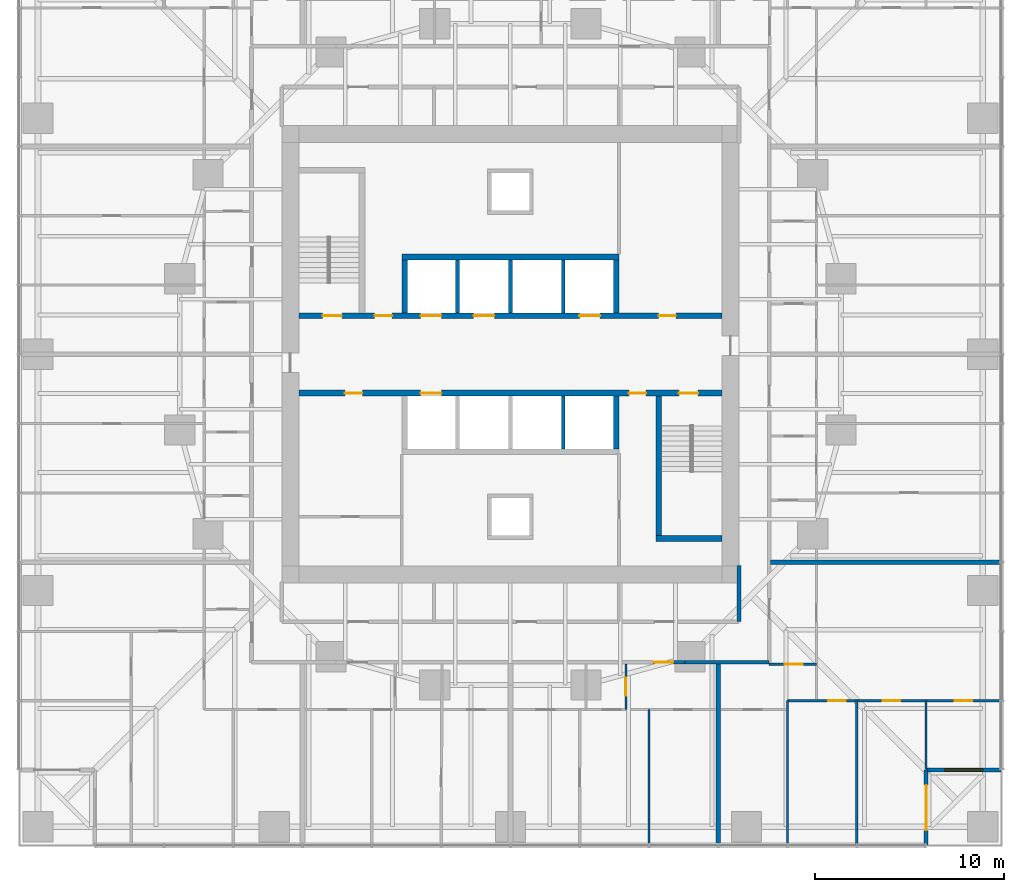
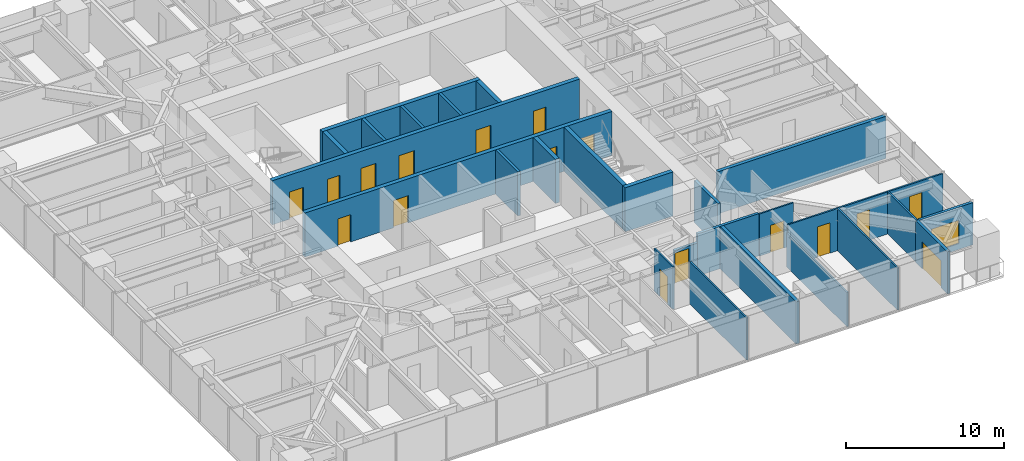
# One storey, part 10 of 14: 26 walls, 17 doors, 1 window, 18 openings.
"""IFC4 building model written with IfcOpenShell, lengths in metres."""

from ifc_helpers import new_model, si_unit, direction, frame, frame_2d, origin, place, context, subcontext, project, spatial, rectangle, extrude, material, layer, layer_set, type_object, element, fill, save


model = new_model("IFC4")

# Units and contexts
model_context = context("Model", 3, precision=1e-05, world=origin(), true_north=direction((0.0, 1.0)))
body_context = subcontext(model_context, "Body", "Model", "MODEL_VIEW")
ifc_project = project(units=[si_unit("LENGTHUNIT", "METRE"), si_unit("AREAUNIT", "SQUARE_METRE"), si_unit("VOLUMEUNIT", "CUBIC_METRE"), si_unit("PLANEANGLEUNIT", "RADIAN"), si_unit("MASSUNIT", "GRAM", prefix="KILO")], contexts=[model_context])

# Site, building, storey
site_placement = place(None, origin())
site = spatial("IfcSite", under=ifc_project, at=site_placement, CompositionType="ELEMENT")
building_placement = place(site_placement, origin())
building = spatial("IfcBuilding", under=site, at=building_placement, Name="Torsade Residences", CompositionType="ELEMENT")
storey_placement = place(building_placement, frame((0.0, 0.0, 32.0)))
storey = spatial("IfcBuildingStorey", under=building, at=storey_placement, Name="L08", CompositionType="ELEMENT", Elevation=32.0)

# Wall, openings, doors
ifc_material_1 = material(Name="Concrete 80 MPa", Category="concrete")
ifc_layer_1 = layer(ifc_material_1, 0.300048828125)
ifc_layer_set_1 = layer_set([ifc_layer_1], Name="Concrete 80 MPa")
wall_type_1 = type_object("IfcWallType", Name="CORE INTERNAL WALL 300", PredefinedType="SHEAR", material=ifc_layer_set_1)
wall_1_placement = place(storey_placement, frame((28.800048828125, 32.050048828125, 0.0), z_axis=(0.0, 0.0, 1.0), x_axis=(1.0, 0.0, 0.0)))
wall_1 = element("IfcWall", 1, at=wall_1_placement, inside=storey, type_object=wall_type_1, Name="Core wall LN L08", PredefinedType="SHEAR", context=body_context, shape_type="SweptSolid", body=[
    extrude(rectangle(XDim=22.39990234375, YDim=0.300048828125, at=frame_2d((11.199951171875, 0.0))), origin(), (0.0, 0.0, 1.0), 3.39990234375),
])
opening_1_placement = place(wall_1_placement, frame((19.0400390625, 0.0, 0.0)))
opening_1 = element("IfcOpeningElement", 2, at=opening_1_placement, cuts=wall_1, Name="Opening D06", PredefinedType="OPENING", context=body_context, shape_type="SweptSolid", body=[
    extrude(rectangle(XDim=0.919921875, YDim=2.10009765625, at=frame_2d((0.4599609375, 1.050048828125))), frame((0.0, 0.159912109375, 0.0), z_axis=(0.0, -1.0, 0.0), x_axis=(1.0, 0.0, 0.0)), (0.0, 0.0, 1.0), 0.320068359375),
])
opening_2_placement = place(wall_1_placement, frame((1.264892578125, 0.0, 0.0)))
opening_2 = element("IfcOpeningElement", 3, at=opening_2_placement, cuts=wall_1, Name="Opening D03", PredefinedType="OPENING", context=body_context, shape_type="SweptSolid", body=[
    extrude(rectangle(XDim=1.02001953125, YDim=2.10009765625, at=frame_2d((0.510009765625, 1.050048828125))), frame((0.0, 0.159912109375, 0.0), z_axis=(0.0, -1.0, 0.0), x_axis=(1.0, 0.0, 0.0)), (0.0, 0.0, 1.0), 0.320068359375),
])
opening_3_placement = place(wall_1_placement, frame((4.014892578125, 0.0, 0.0)))
opening_3 = element("IfcOpeningElement", 4, at=opening_3_placement, cuts=wall_1, Name="Opening D06", PredefinedType="OPENING", context=body_context, shape_type="SweptSolid", body=[
    extrude(rectangle(XDim=0.919921875, YDim=2.10009765625, at=frame_2d((0.4599609375, 1.050048828125))), frame((0.0, 0.159912109375, 0.0), z_axis=(0.0, -1.0, 0.0), x_axis=(1.0, 0.0, 0.0)), (0.0, 0.0, 1.0), 0.320068359375),
])
opening_4_placement = place(wall_1_placement, frame((6.449951171875, 0.0, 0.0)))
opening_4 = element("IfcOpeningElement", 5, at=opening_4_placement, cuts=wall_1, Name="Opening LD", PredefinedType="OPENING", context=body_context, shape_type="SweptSolid", body=[
    extrude(rectangle(XDim=1.10009765625, YDim=2.10009765625, at=frame_2d((0.550048828125, 1.050048828125))), frame((0.0, 0.159912109375, 0.0), z_axis=(0.0, -1.0, 0.0), x_axis=(1.0, 0.0, 0.0)), (0.0, 0.0, 1.0), 0.320068359375),
])
opening_5_placement = place(wall_1_placement, frame((9.25, 0.0, 0.0)))
opening_5 = element("IfcOpeningElement", 6, at=opening_5_placement, cuts=wall_1, Name="Opening LD", PredefinedType="OPENING", context=body_context, shape_type="SweptSolid", body=[
    extrude(rectangle(XDim=1.10009765625, YDim=2.10009765625, at=frame_2d((0.550048828125, 1.050048828125))), frame((0.0, 0.159912109375, 0.0), z_axis=(0.0, -1.0, 0.0), x_axis=(1.0, 0.0, 0.0)), (0.0, 0.0, 1.0), 0.320068359375),
])
opening_6_placement = place(wall_1_placement, frame((14.85009765625, 0.0, 0.0)))
opening_6 = element("IfcOpeningElement", 7, at=opening_6_placement, cuts=wall_1, Name="Opening LD", PredefinedType="OPENING", context=body_context, shape_type="SweptSolid", body=[
    extrude(rectangle(XDim=1.10009765625, YDim=2.10009765625, at=frame_2d((0.550048828125, 1.050048828125))), frame((0.0, 0.159912109375, 0.0), z_axis=(0.0, -1.0, 0.0), x_axis=(1.0, 0.0, 0.0)), (0.0, 0.0, 1.0), 0.320068359375),
])
ifc_material_2 = material(Name="Steel-framed fire door", Category="steel")
door_type_1 = type_object("IfcDoorType", Name="FIRE DOOR 1020", OperationType="NOTDEFINED", PredefinedType="DOOR", material=ifc_material_2)
door_1_placement = place(opening_2_placement, origin())
door_1 = element("IfcDoor", 8, at=door_1_placement, inside=storey, type_object=door_type_1, Name="Exit door to fire-isolated stair ST1 L08", OperationType="SINGLE_SWING_RIGHT", OverallHeight=2.10009765625, OverallWidth=1.02001953125, PredefinedType="DOOR", context=body_context, shape_type="SweptSolid", body=[
    extrude(rectangle(XDim=1.02001953125, YDim=2.10009765625, at=frame_2d((0.510009765625, 1.050048828125))), frame((0.0, 0.02490234375, 0.0), z_axis=(0.0, -1.0, 0.0), x_axis=(1.0, 0.0, 0.0)), (0.0, 0.0, 1.0), 0.050048828125),
])
fill(opening_2, door_1)
ifc_material_3 = material(Name="Steel-framed fire door", Category="steel")
door_type_2 = type_object("IfcDoorType", Name="FIRE DOOR 920", OperationType="NOTDEFINED", PredefinedType="DOOR", material=ifc_material_3)
door_2_placement = place(opening_1_placement, origin())
door_2 = element("IfcDoor", 9, at=door_2_placement, inside=storey, type_object=door_type_2, Name="Door Lift lobby to Refuse room", OperationType="SINGLE_SWING_LEFT", OverallHeight=2.10009765625, OverallWidth=0.919921875, PredefinedType="DOOR", context=body_context, shape_type="SweptSolid", body=[
    extrude(rectangle(XDim=0.919921875, YDim=2.10009765625, at=frame_2d((0.4599609375, 1.050048828125))), frame((0.0, 0.02490234375, 0.0), z_axis=(0.0, -1.0, 0.0), x_axis=(1.0, 0.0, 0.0)), (0.0, 0.0, 1.0), 0.050048828125),
])
fill(opening_1, door_2)
door_3_placement = place(opening_3_placement, origin())
door_3 = element("IfcDoor", 10, at=door_3_placement, inside=storey, type_object=door_type_2, Name="Door Lift lobby to Electrical riser room", OperationType="SINGLE_SWING_LEFT", OverallHeight=2.10009765625, OverallWidth=0.919921875, PredefinedType="DOOR", context=body_context, shape_type="SweptSolid", body=[
    extrude(rectangle(XDim=0.919921875, YDim=2.10009765625, at=frame_2d((0.4599609375, 1.050048828125))), frame((0.0, 0.02490234375, 0.0), z_axis=(0.0, -1.0, 0.0), x_axis=(1.0, 0.0, 0.0)), (0.0, 0.0, 1.0), 0.050048828125),
])
fill(opening_3, door_3)
ifc_material_4 = material(Name="Stainless steel lift landing door", Category="steel")
door_type_3 = type_object("IfcDoorType", Name="LIFT LANDING DOOR 1100", OperationType="SLIDING_TO_LEFT", PredefinedType="DOOR", material=ifc_material_4)
door_4_placement = place(opening_4_placement, origin())
door_4 = element("IfcDoor", 11, at=door_4_placement, inside=storey, type_object=door_type_3, Name="Lift LA1 landing door L08", OperationType="SLIDING_TO_LEFT", OverallHeight=2.10009765625, OverallWidth=1.10009765625, PredefinedType="DOOR", context=body_context, shape_type="SweptSolid", body=[
    extrude(rectangle(XDim=1.10009765625, YDim=2.10009765625, at=frame_2d((0.550048828125, 1.050048828125))), frame((0.0, 0.02490234375, 0.0), z_axis=(0.0, -1.0, 0.0), x_axis=(1.0, 0.0, 0.0)), (0.0, 0.0, 1.0), 0.050048828125),
])
fill(opening_4, door_4)
door_5_placement = place(opening_5_placement, origin())
door_5 = element("IfcDoor", 12, at=door_5_placement, inside=storey, type_object=door_type_3, Name="Lift LA2 landing door L08", OperationType="SLIDING_TO_LEFT", OverallHeight=2.10009765625, OverallWidth=1.10009765625, PredefinedType="DOOR", context=body_context, shape_type="SweptSolid", body=[
    extrude(rectangle(XDim=1.10009765625, YDim=2.10009765625, at=frame_2d((0.550048828125, 1.050048828125))), frame((0.0, 0.02490234375, 0.0), z_axis=(0.0, -1.0, 0.0), x_axis=(1.0, 0.0, 0.0)), (0.0, 0.0, 1.0), 0.050048828125),
])
fill(opening_5, door_5)
door_6_placement = place(opening_6_placement, origin())
door_6 = element("IfcDoor", 13, at=door_6_placement, inside=storey, type_object=door_type_3, Name="Lift FL1 landing door L08", OperationType="SLIDING_TO_LEFT", OverallHeight=2.10009765625, OverallWidth=1.10009765625, PredefinedType="DOOR", context=body_context, shape_type="SweptSolid", body=[
    extrude(rectangle(XDim=1.10009765625, YDim=2.10009765625, at=frame_2d((0.550048828125, 1.050048828125))), frame((0.0, 0.02490234375, 0.0), z_axis=(0.0, -1.0, 0.0), x_axis=(1.0, 0.0, 0.0)), (0.0, 0.0, 1.0), 0.050048828125),
])
fill(opening_6, door_6)

wall_2_placement = place(storey_placement, frame((51.199951171875, 27.949951171875, 0.0), z_axis=(0.0, 0.0, 1.0), x_axis=(-1.0, 0.0, 0.0)))
wall_2 = element("IfcWall", 14, at=wall_2_placement, inside=storey, type_object=wall_type_1, Name="Core wall LS L08", PredefinedType="SHEAR", context=body_context, shape_type="SweptSolid", body=[
    extrude(rectangle(XDim=22.39990234375, YDim=0.300048828125, at=frame_2d((11.199951171875, 0.0))), origin(), (0.0, 0.0, 1.0), 3.39990234375),
])
opening_7_placement = place(wall_2_placement, frame((19.0400390625, 0.0, 0.0)))
opening_7 = element("IfcOpeningElement", 15, at=opening_7_placement, cuts=wall_2, Name="Opening D06", PredefinedType="OPENING", context=body_context, shape_type="SweptSolid", body=[
    extrude(rectangle(XDim=0.919921875, YDim=2.10009765625, at=frame_2d((0.4599609375, 1.050048828125))), frame((0.0, 0.159912109375, 0.0), z_axis=(0.0, -1.0, 0.0), x_axis=(1.0, 0.0, 0.0)), (0.0, 0.0, 1.0), 0.320068359375),
])
opening_8_placement = place(wall_2_placement, frame((1.264892578125, 0.0, 0.0)))
opening_8 = element("IfcOpeningElement", 16, at=opening_8_placement, cuts=wall_2, Name="Opening D03", PredefinedType="OPENING", context=body_context, shape_type="SweptSolid", body=[
    extrude(rectangle(XDim=1.02001953125, YDim=2.10009765625, at=frame_2d((0.510009765625, 1.050048828125))), frame((0.0, 0.159912109375, 0.0), z_axis=(0.0, -1.0, 0.0), x_axis=(1.0, 0.0, 0.0)), (0.0, 0.0, 1.0), 0.320068359375),
])
opening_9_placement = place(wall_2_placement, frame((4.014892578125, 0.0, 0.0)))
opening_9 = element("IfcOpeningElement", 17, at=opening_9_placement, cuts=wall_2, Name="Opening D06", PredefinedType="OPENING", context=body_context, shape_type="SweptSolid", body=[
    extrude(rectangle(XDim=0.919921875, YDim=2.10009765625, at=frame_2d((0.4599609375, 1.050048828125))), frame((0.0, 0.159912109375, 0.0), z_axis=(0.0, -1.0, 0.0), x_axis=(1.0, 0.0, 0.0)), (0.0, 0.0, 1.0), 0.320068359375),
])
opening_10_placement = place(wall_2_placement, frame((14.85009765625, 0.0, 0.0)))
opening_10 = element("IfcOpeningElement", 18, at=opening_10_placement, cuts=wall_2, Name="Opening LD", PredefinedType="OPENING", context=body_context, shape_type="SweptSolid", body=[
    extrude(rectangle(XDim=1.10009765625, YDim=2.10009765625, at=frame_2d((0.550048828125, 1.050048828125))), frame((0.0, 0.159912109375, 0.0), z_axis=(0.0, -1.0, 0.0), x_axis=(1.0, 0.0, 0.0)), (0.0, 0.0, 1.0), 0.320068359375),
])
door_7_placement = place(opening_8_placement, origin())
door_7 = element("IfcDoor", 19, at=door_7_placement, inside=storey, type_object=door_type_1, Name="Exit door to fire-isolated stair ST2 L08", OperationType="SINGLE_SWING_RIGHT", OverallHeight=2.10009765625, OverallWidth=1.02001953125, PredefinedType="DOOR", context=body_context, shape_type="SweptSolid", body=[
    extrude(rectangle(XDim=1.02001953125, YDim=2.10009765625, at=frame_2d((0.510009765625, 1.050048828125))), frame((0.0, 0.02490234375, 0.0), z_axis=(0.0, -1.0, 0.0), x_axis=(1.0, 0.0, 0.0)), (0.0, 0.0, 1.0), 0.050048828125),
])
fill(opening_8, door_7)
door_8_placement = place(opening_7_placement, origin())
door_8 = element("IfcDoor", 20, at=door_8_placement, inside=storey, type_object=door_type_2, Name="Door Lift lobby to Cleaner store", OperationType="SINGLE_SWING_LEFT", OverallHeight=2.10009765625, OverallWidth=0.919921875, PredefinedType="DOOR", context=body_context, shape_type="SweptSolid", body=[
    extrude(rectangle(XDim=0.919921875, YDim=2.10009765625, at=frame_2d((0.4599609375, 1.050048828125))), frame((0.0, 0.02490234375, 0.0), z_axis=(0.0, -1.0, 0.0), x_axis=(1.0, 0.0, 0.0)), (0.0, 0.0, 1.0), 0.050048828125),
])
fill(opening_7, door_8)
door_9_placement = place(opening_9_placement, origin())
door_9 = element("IfcDoor", 21, at=door_9_placement, inside=storey, type_object=door_type_2, Name="Door Lift lobby to Communications equipment store", OperationType="SINGLE_SWING_RIGHT", OverallHeight=2.10009765625, OverallWidth=0.919921875, PredefinedType="DOOR", context=body_context, shape_type="SweptSolid", body=[
    extrude(rectangle(XDim=0.919921875, YDim=2.10009765625, at=frame_2d((0.4599609375, 1.050048828125))), frame((0.0, 0.02490234375, 0.0), z_axis=(0.0, -1.0, 0.0), x_axis=(1.0, 0.0, 0.0)), (0.0, 0.0, 1.0), 0.050048828125),
])
fill(opening_9, door_9)
door_10_placement = place(opening_10_placement, origin())
door_10 = element("IfcDoor", 22, at=door_10_placement, inside=storey, type_object=door_type_3, Name="Lift FL2 landing door L08", OperationType="SLIDING_TO_LEFT", OverallHeight=2.10009765625, OverallWidth=1.10009765625, PredefinedType="DOOR", context=body_context, shape_type="SweptSolid", body=[
    extrude(rectangle(XDim=1.10009765625, YDim=2.10009765625, at=frame_2d((0.550048828125, 1.050048828125))), frame((0.0, 0.02490234375, 0.0), z_axis=(0.0, -1.0, 0.0), x_axis=(1.0, 0.0, 0.0)), (0.0, 0.0, 1.0), 0.050048828125),
])
fill(opening_10, door_10)

# Walls
wall_3_placement = place(storey_placement, frame((34.25, 35.14990234375, 0.0), z_axis=(0.0, 0.0, 1.0), x_axis=(1.0, 0.0, 0.0)))
element("IfcWall", 23, at=wall_3_placement, inside=storey, type_object=wall_type_1, Name="Core wall BN L08", PredefinedType="SHEAR", context=body_context, shape_type="SweptSolid", body=[
    extrude(rectangle(XDim=11.5, YDim=0.300048828125, at=frame_2d((5.75, 0.0))), origin(), (0.0, 0.0, 1.0), 3.39990234375),
])
for number, where, z_axis, x_axis, name in (
    (24, (34.39990234375, 32.199951171875, 0.0), (0.0, 0.0, 1.0), (0.0, 1.0, 0.0), "Core wall DN0 L08"),
    (25, (45.60009765625, 27.800048828125, 0.0), (0.0, 0.0, 1.0), (0.0, -1.0, 0.0), "Core wall DS0 L08"),
    (26, (45.60009765625, 32.199951171875, 0.0), (0.0, 0.0, 1.0), (0.0, 1.0, 0.0), "Core wall DN4 L08"),
):
    element("IfcWall", number, at=place(storey_placement, frame(where, z_axis=z_axis, x_axis=x_axis)), inside=storey, type_object=wall_type_1, Name=name, PredefinedType="SHEAR", context=body_context, shape_type="SweptSolid", body=[
        extrude(rectangle(XDim=2.800048828125, YDim=0.300048828125, at=frame_2d((1.39990234375, 0.0))), origin(), (0.0, 0.0, 1.0), 3.39990234375),
    ])
wall_4_placement = place(storey_placement, frame((47.85009765625, 27.800048828125, 0.0), z_axis=(0.0, 0.0, 1.0), x_axis=(0.0, -1.0, 0.0)))
element("IfcWall", 27, at=wall_4_placement, inside=storey, type_object=wall_type_1, Name="Core wall ST2W L08", PredefinedType="SHEAR", context=body_context, shape_type="SweptSolid", body=[
    extrude(rectangle(XDim=7.699951171875, YDim=0.300048828125, at=frame_2d((3.85009765625, 0.0))), origin(), (0.0, 0.0, 1.0), 3.39990234375),
])
wall_5_placement = place(storey_placement, frame((51.199951171875, 20.25, 0.0), z_axis=(0.0, 0.0, 1.0), x_axis=(-1.0, 0.0, 0.0)))
element("IfcWall", 28, at=wall_5_placement, inside=storey, type_object=wall_type_1, Name="Core wall ST2S L08", PredefinedType="SHEAR", context=body_context, shape_type="SweptSolid", body=[
    extrude(rectangle(XDim=3.5, YDim=0.300048828125, at=frame_2d((1.75, 0.0))), origin(), (0.0, 0.0, 1.0), 3.39990234375),
])

# Wall, opening, door
ifc_material_5 = material(Name="Plasterboard on steel stud", Category="steel")
ifc_layer_2 = layer(ifc_material_5, 0.199951171875)
ifc_layer_set_2 = layer_set([ifc_layer_2], Name="Plasterboard on steel stud")
wall_type_2 = type_object("IfcWallType", Name="CORRIDOR WALL 200", PredefinedType="PARTITIONING", material=ifc_layer_set_2)
wall_6_placement = place(storey_placement, frame((47.558349609375, 13.699951171875, 0.0), z_axis=(0.0, 0.0, 1.0), x_axis=(1.0, 0.0, 0.0)))
wall_6 = element("IfcWall", 29, at=wall_6_placement, inside=storey, type_object=wall_type_2, Name="Corridor wall L08", PredefinedType="PARTITIONING", context=body_context, shape_type="SweptSolid", body=[
    extrude(rectangle(XDim=1.683349609375, YDim=0.199951171875, at=frame_2d((0.841796875, 0.0))), origin(), (0.0, 0.0, 1.0), 2.550048828125),
])
opening_11_placement = place(wall_6_placement, frame((0.03857421875, 0.0, 0.0)))
opening_11 = element("IfcOpeningElement", 30, at=opening_11_placement, cuts=wall_6, Name="Opening D01", PredefinedType="OPENING", context=body_context, shape_type="SweptSolid", body=[
    extrude(rectangle(XDim=1.02001953125, YDim=2.340087890625, at=frame_2d((0.510009765625, 1.169921875))), frame((0.0, 0.10986328125, 0.0), z_axis=(0.0, -1.0, 0.0), x_axis=(1.0, 0.0, 0.0)), (0.0, 0.0, 1.0), 0.219970703125),
])
ifc_material_6 = material(Name="Solid-core timber fire door", Category="wood")
door_type_4 = type_object("IfcDoorType", Name="APARTMENT ENTRY DOOR 1020x2340", OperationType="NOTDEFINED", PredefinedType="DOOR", material=ifc_material_6)
door_11_placement = place(opening_11_placement, origin())
door_11 = element("IfcDoor", 31, at=door_11_placement, inside=storey, type_object=door_type_4, Name="Door Residential corridor to Kitchen and dining", OperationType="SINGLE_SWING_RIGHT", OverallHeight=2.340087890625, OverallWidth=1.02001953125, PredefinedType="DOOR", context=body_context, shape_type="SweptSolid", body=[
    extrude(rectangle(XDim=1.02001953125, YDim=2.340087890625, at=frame_2d((0.510009765625, 1.169921875))), frame((0.0, 0.02490234375, 0.0), z_axis=(0.0, -1.0, 0.0), x_axis=(1.0, 0.0, 0.0)), (0.0, 0.0, 1.0), 0.050048828125),
])
fill(opening_11, door_11)

# Walls
wall_7_placement = place(storey_placement, frame((49.24169921875, 13.699951171875, 0.0), z_axis=(0.0, 0.0, 1.0), x_axis=(1.0, 0.0, 0.0)))
element("IfcWall", 32, at=wall_7_placement, inside=storey, type_object=wall_type_2, Name="Corridor wall L08", PredefinedType="PARTITIONING", context=body_context, shape_type="SweptSolid", body=[
    extrude(rectangle(XDim=4.458251953125, YDim=0.199951171875, at=frame_2d((2.22900390625, 0.0))), origin(), (0.0, 0.0, 1.0), 3.25),
])
wall_8_placement = place(storey_placement, frame((52.10009765625, 15.85009765625, 0.0), z_axis=(0.0, 0.0, 1.0), x_axis=(0.0, 1.0, 0.0)))
element("IfcWall", 33, at=wall_8_placement, inside=storey, type_object=wall_type_2, Name="Corridor wall L08", PredefinedType="PARTITIONING", context=body_context, shape_type="SweptSolid", body=[
    extrude(rectangle(XDim=2.969970703125, YDim=0.199951171875, at=frame_2d((1.48486328125, 0.0))), origin(), (0.0, 0.0, 1.0), 3.25),
])
ifc_material_7 = material(Name="Reinforced blockwork", Category="masonry")
ifc_layer_3 = layer(ifc_material_7, 0.199951171875)
ifc_layer_set_3 = layer_set([ifc_layer_3], Name="Reinforced blockwork")
wall_type_3 = type_object("IfcWallType", Name="LIFT SHAFT DIVIDING WALL 200", PredefinedType="SOLIDWALL", material=ifc_layer_set_3)
for number, where, z_axis, x_axis, name in (
    (34, (37.199951171875, 32.199951171875, 0.0), (0.0, 0.0, 1.0), (0.0, 1.0, 0.0), "Core wall DN1 L08"),
    (35, (42.800048828125, 27.800048828125, 0.0), (0.0, 0.0, 1.0), (0.0, -1.0, 0.0), "Core wall DS1 L08"),
    (36, (40.0, 32.199951171875, 0.0), (0.0, 0.0, 1.0), (0.0, 1.0, 0.0), "Core wall DN2 L08"),
    (37, (42.800048828125, 32.199951171875, 0.0), (0.0, 0.0, 1.0), (0.0, 1.0, 0.0), "Core wall DN3 L08"),
):
    element("IfcWall", number, at=place(storey_placement, frame(where, z_axis=z_axis, x_axis=x_axis)), inside=storey, type_object=wall_type_3, Name=name, PredefinedType="SOLIDWALL", context=body_context, shape_type="SweptSolid", body=[
        extrude(rectangle(XDim=2.800048828125, YDim=0.199951171875, at=frame_2d((1.39990234375, 0.0))), origin(), (0.0, 0.0, 1.0), 3.39990234375),
    ])

# Wall, opening, door
ifc_material_8 = material(Name="Plasterboard on steel stud", Category="steel")
ifc_layer_4 = layer(ifc_material_8, 0.1201171875)
ifc_layer_set_4 = layer_set([ifc_layer_4], Name="Plasterboard on steel stud")
wall_type_4 = type_object("IfcWallType", Name="PARTITION 120", PredefinedType="PARTITIONING", material=ifc_layer_set_4)
wall_9_placement = place(storey_placement, frame((46.11376953125, 11.199951171875, 0.0), z_axis=(0.0, 0.0, 1.0), x_axis=(0.0, 1.0, 0.0)))
wall_9 = element("IfcWall", 38, at=wall_9_placement, inside=storey, type_object=wall_type_4, Name="Partition L08", PredefinedType="PARTITIONING", context=body_context, shape_type="SweptSolid", body=[
    extrude(rectangle(XDim=2.400146484375, YDim=0.1201171875, at=frame_2d((1.2001953125, 0.0))), origin(), (0.0, 0.0, 1.0), 3.25),
])
opening_12_placement = place(wall_9_placement, frame((0.719970703125, 0.0, 0.0)))
opening_12 = element("IfcOpeningElement", 39, at=opening_12_placement, cuts=wall_9, Name="Opening D05", PredefinedType="OPENING", context=body_context, shape_type="SweptSolid", body=[
    extrude(rectangle(XDim=0.9599609375, YDim=2.10009765625, at=frame_2d((0.47998046875, 1.050048828125))), frame((0.0, 0.070068359375, 0.0), z_axis=(0.0, -1.0, 0.0), x_axis=(1.0, 0.0, 0.0)), (0.0, 0.0, 1.0), 0.14013671875),
])
ifc_material_9 = material(Name="Hollow-core timber door in a steel cavity frame", Category="steel")
door_type_5 = type_object("IfcDoorType", Name="BATHROOM CAVITY SLIDING DOOR 960", OperationType="SLIDING_TO_LEFT", PredefinedType="DOOR", material=ifc_material_9)
door_12_placement = place(opening_12_placement, origin())
door_12 = element("IfcDoor", 40, at=door_12_placement, inside=storey, type_object=door_type_5, Name="Door Kitchen and dining to Bathroom", OperationType="SLIDING_TO_LEFT", OverallHeight=2.10009765625, OverallWidth=0.9599609375, PredefinedType="DOOR", context=body_context, shape_type="SweptSolid", body=[
    extrude(rectangle(XDim=0.9599609375, YDim=2.10009765625, at=frame_2d((0.47998046875, 1.050048828125))), frame((0.0, 0.02490234375, 0.0), z_axis=(0.0, -1.0, 0.0), x_axis=(1.0, 0.0, 0.0)), (0.0, 0.0, 1.0), 0.050048828125),
])
fill(opening_12, door_12)

# Wall
wall_10_placement = place(storey_placement, frame((47.333251953125, 4.0400390625, 0.0), z_axis=(0.0, 0.0, 1.0), x_axis=(0.0, 1.0, 0.0)))
element("IfcWall", 41, at=wall_10_placement, inside=storey, type_object=wall_type_4, Name="Partition L08", PredefinedType="PARTITIONING", context=body_context, shape_type="SweptSolid", body=[
    extrude(rectangle(XDim=7.159912109375, YDim=0.1201171875, at=frame_2d((3.580078125, 0.0))), origin(), (0.0, 0.0, 1.0), 3.25),
])

# Wall, opening, door
wall_11_placement = place(storey_placement, frame((56.199951171875, 13.60009765625, 0.0), z_axis=(0.0, 0.0, 1.0), x_axis=(-1.0, 0.0, 0.0)))
wall_11 = element("IfcWall", 42, at=wall_11_placement, inside=storey, type_object=wall_type_4, Name="Partition L08", PredefinedType="PARTITIONING", context=body_context, shape_type="SweptSolid", body=[
    extrude(rectangle(XDim=2.5, YDim=0.1201171875, at=frame_2d((1.25, 0.0))), origin(), (0.0, 0.0, 1.0), 3.25),
])
opening_13_placement = place(wall_11_placement, frame((0.719970703125, 0.0, 0.0)))
opening_13 = element("IfcOpeningElement", 43, at=opening_13_placement, cuts=wall_11, Name="Opening D05", PredefinedType="OPENING", context=body_context, shape_type="SweptSolid", body=[
    extrude(rectangle(XDim=0.9599609375, YDim=2.10009765625, at=frame_2d((0.47998046875, 1.050048828125))), frame((0.0, 0.070068359375, 0.0), z_axis=(0.0, -1.0, 0.0), x_axis=(1.0, 0.0, 0.0)), (0.0, 0.0, 1.0), 0.14013671875),
])
door_13_placement = place(opening_13_placement, origin())
door_13 = element("IfcDoor", 44, at=door_13_placement, inside=storey, type_object=door_type_5, Name="Door Kitchen and dining to Bathroom", OperationType="SLIDING_TO_LEFT", OverallHeight=2.10009765625, OverallWidth=0.9599609375, PredefinedType="DOOR", context=body_context, shape_type="SweptSolid", body=[
    extrude(rectangle(XDim=0.9599609375, YDim=2.10009765625, at=frame_2d((0.47998046875, 1.050048828125))), frame((0.0, 0.02490234375, 0.0), z_axis=(0.0, -1.0, 0.0), x_axis=(1.0, 0.0, 0.0)), (0.0, 0.0, 1.0), 0.050048828125),
])
fill(opening_13, door_13)

# Wall, openings, doors
wall_12_placement = place(storey_placement, frame((65.9599609375, 11.666748046875, 0.0), z_axis=(0.0, 0.0, 1.0), x_axis=(-1.0, 0.0, 0.0)))
wall_12 = element("IfcWall", 45, at=wall_12_placement, inside=storey, type_object=wall_type_4, Name="Partition L08", PredefinedType="PARTITIONING", context=body_context, shape_type="SweptSolid", body=[
    extrude(rectangle(XDim=11.293212890625, YDim=0.1201171875, at=frame_2d((5.646484375, 0.0))), origin(), (0.0, 0.0, 1.0), 3.25),
])
opening_14_placement = place(wall_12_placement, frame((1.52490234375, 0.0, 0.0)))
opening_14 = element("IfcOpeningElement", 46, at=opening_14_placement, cuts=wall_12, Name="Opening D02", PredefinedType="OPENING", context=body_context, shape_type="SweptSolid", body=[
    extrude(rectangle(XDim=0.919921875, YDim=2.340087890625, at=frame_2d((0.4599609375, 1.169921875))), frame((0.0, 0.070068359375, 0.0), z_axis=(0.0, -1.0, 0.0), x_axis=(1.0, 0.0, 0.0)), (0.0, 0.0, 1.0), 0.14013671875),
])
opening_15_placement = place(wall_12_placement, frame((5.333251953125, 0.0, 0.0)))
opening_15 = element("IfcOpeningElement", 47, at=opening_15_placement, cuts=wall_12, Name="Opening D02", PredefinedType="OPENING", context=body_context, shape_type="SweptSolid", body=[
    extrude(rectangle(XDim=0.919921875, YDim=2.340087890625, at=frame_2d((0.4599609375, 1.169921875))), frame((0.0, 0.070068359375, 0.0), z_axis=(0.0, -1.0, 0.0), x_axis=(1.0, 0.0, 0.0)), (0.0, 0.0, 1.0), 0.14013671875),
])
opening_16_placement = place(wall_12_placement, frame((8.208251953125, 0.0, 0.0)))
opening_16 = element("IfcOpeningElement", 48, at=opening_16_placement, cuts=wall_12, Name="Opening D02", PredefinedType="OPENING", context=body_context, shape_type="SweptSolid", body=[
    extrude(rectangle(XDim=0.919921875, YDim=2.340087890625, at=frame_2d((0.4599609375, 1.169921875))), frame((0.0, 0.070068359375, 0.0), z_axis=(0.0, -1.0, 0.0), x_axis=(1.0, 0.0, 0.0)), (0.0, 0.0, 1.0), 0.14013671875),
])
ifc_material_10 = material(Name="Hollow-core timber door", Category="wood")
door_type_6 = type_object("IfcDoorType", Name="INTERNAL DOOR 920x2340", OperationType="NOTDEFINED", PredefinedType="DOOR", material=ifc_material_10)
door_14_placement = place(opening_14_placement, origin())
door_14 = element("IfcDoor", 49, at=door_14_placement, inside=storey, type_object=door_type_6, Name="Door Living room to Family room", OperationType="SINGLE_SWING_RIGHT", OverallHeight=2.340087890625, OverallWidth=0.919921875, PredefinedType="DOOR", context=body_context, shape_type="SweptSolid", body=[
    extrude(rectangle(XDim=0.919921875, YDim=2.340087890625, at=frame_2d((0.4599609375, 1.169921875))), frame((0.0, 0.02490234375, 0.0), z_axis=(0.0, -1.0, 0.0), x_axis=(1.0, 0.0, 0.0)), (0.0, 0.0, 1.0), 0.050048828125),
])
fill(opening_14, door_14)
door_15_placement = place(opening_15_placement, origin())
door_15 = element("IfcDoor", 50, at=door_15_placement, inside=storey, type_object=door_type_6, Name="Door Living room to Bedroom 1", OperationType="SINGLE_SWING_RIGHT", OverallHeight=2.340087890625, OverallWidth=0.919921875, PredefinedType="DOOR", context=body_context, shape_type="SweptSolid", body=[
    extrude(rectangle(XDim=0.919921875, YDim=2.340087890625, at=frame_2d((0.4599609375, 1.169921875))), frame((0.0, 0.02490234375, 0.0), z_axis=(0.0, -1.0, 0.0), x_axis=(1.0, 0.0, 0.0)), (0.0, 0.0, 1.0), 0.050048828125),
])
fill(opening_15, door_15)
door_16_placement = place(opening_16_placement, origin())
door_16 = element("IfcDoor", 51, at=door_16_placement, inside=storey, type_object=door_type_6, Name="Door Living room to Bedroom 2", OperationType="SINGLE_SWING_LEFT", OverallHeight=2.340087890625, OverallWidth=0.919921875, PredefinedType="DOOR", context=body_context, shape_type="SweptSolid", body=[
    extrude(rectangle(XDim=0.919921875, YDim=2.340087890625, at=frame_2d((0.4599609375, 1.169921875))), frame((0.0, 0.02490234375, 0.0), z_axis=(0.0, -1.0, 0.0), x_axis=(1.0, 0.0, 0.0)), (0.0, 0.0, 1.0), 0.050048828125),
])
fill(opening_16, door_16)

# Walls
wall_13_placement = place(storey_placement, frame((54.666748046875, 11.666748046875, 0.0), z_axis=(0.0, 0.0, 1.0), x_axis=(0.0, -1.0, 0.0)))
element("IfcWall", 52, at=wall_13_placement, inside=storey, type_object=wall_type_4, Name="Partition L08", PredefinedType="PARTITIONING", context=body_context, shape_type="SweptSolid", body=[
    extrude(rectangle(XDim=7.626708984375, YDim=0.1201171875, at=frame_2d((3.8134765625, 0.0))), origin(), (0.0, 0.0, 1.0), 2.637939453125),
])
wall_14_placement = place(storey_placement, frame((58.333251953125, 4.0400390625, 0.0), z_axis=(0.0, 0.0, 1.0), x_axis=(0.0, 1.0, 0.0)))
element("IfcWall", 53, at=wall_14_placement, inside=storey, type_object=wall_type_4, Name="Partition L08", PredefinedType="PARTITIONING", context=body_context, shape_type="SweptSolid", body=[
    extrude(rectangle(XDim=7.626708984375, YDim=0.1201171875, at=frame_2d((3.8134765625, 0.0))), origin(), (0.0, 0.0, 1.0), 3.25),
])
wall_15_placement = place(storey_placement, frame((62.0, 11.666748046875, 0.0), z_axis=(0.0, 0.0, 1.0), x_axis=(0.0, -1.0, 0.0)))
element("IfcWall", 54, at=wall_15_placement, inside=storey, type_object=wall_type_4, Name="Partition L08", PredefinedType="PARTITIONING", context=body_context, shape_type="SweptSolid", body=[
    extrude(rectangle(XDim=3.626708984375, YDim=0.1201171875, at=frame_2d((1.8134765625, 0.0))), origin(), (0.0, 0.0, 1.0), 3.25),
])
ifc_material_11 = material(Name="Masonry-lined stud party wall", Category="masonry")
ifc_layer_5 = layer(ifc_material_11, 0.25)
ifc_layer_set_5 = layer_set([ifc_layer_5], Name="Masonry-lined stud party wall")
wall_type_5 = type_object("IfcWallType", Name="PARTY WALL 250", PredefinedType="PARTITIONING", material=ifc_layer_set_5)
wall_16_placement = place(storey_placement, frame((51.0, 4.0, 0.0), z_axis=(0.0, 0.0, 1.0), x_axis=(0.0, 1.0, 0.0)))
element("IfcWall", 55, at=wall_16_placement, inside=storey, type_object=wall_type_5, Name="Party wall L08", PredefinedType="PARTITIONING", context=body_context, shape_type="SweptSolid", body=[
    extrude(rectangle(XDim=9.639892578125, YDim=0.25, at=frame_2d((4.81982421875, 0.0))), origin(), (0.0, 0.0, 1.0), 3.25),
])
wall_17_placement = place(storey_placement, frame((66.0, 19.0, 0.0), z_axis=(0.0, 0.0, 1.0), x_axis=(-1.0, 0.0, 0.0)))
element("IfcWall", 56, at=wall_17_placement, inside=storey, type_object=wall_type_5, Name="Party wall L08", PredefinedType="PARTITIONING", context=body_context, shape_type="SweptSolid", body=[
    extrude(rectangle(XDim=12.239990234375, YDim=0.25, at=frame_2d((6.1201171875, 0.0))), origin(), (0.0, 0.0, 1.0), 3.25),
])

# Wall, opening, door
ifc_material_12 = material(Name="Stone-faced precast concrete 40 MPa panel", Category="masonry")
ifc_layer_6 = layer(ifc_material_12, 0.199951171875)
ifc_layer_set_6 = layer_set([ifc_layer_6], Name="Stone-faced precast concrete 40 MPa panel")
wall_type_6 = type_object("IfcWallType", Name="TERRACE WALL 200", PredefinedType="SOLIDWALL", material=ifc_layer_set_6)
wall_18_placement = place(storey_placement, frame((62.0, 4.0, 0.0), z_axis=(0.0, 0.0, 1.0), x_axis=(0.0, 1.0, 0.0)))
wall_18 = element("IfcWall", 57, at=wall_18_placement, inside=storey, type_object=wall_type_6, Name="Terrace wall L08 2", PredefinedType="SOLIDWALL", context=body_context, shape_type="SweptSolid", body=[
    extrude(rectangle(XDim=4.0, YDim=0.199951171875, at=frame_2d((2.0, 0.0))), origin(), (0.0, 0.0, 1.0), 3.25),
])
opening_17_placement = place(wall_18_placement, frame((0.800048828125, 0.0, 0.0)))
opening_17 = element("IfcOpeningElement", 58, at=opening_17_placement, cuts=wall_18, Name="Opening D10A", PredefinedType="OPENING", context=body_context, shape_type="SweptSolid", body=[
    extrude(rectangle(XDim=2.39990234375, YDim=2.10009765625, at=frame_2d((1.199951171875, 1.050048828125))), frame((0.0, 0.10986328125, 0.0), z_axis=(0.0, -1.0, 0.0), x_axis=(1.0, 0.0, 0.0)), (0.0, 0.0, 1.0), 0.219970703125),
])
ifc_material_13 = material(Name="Aluminium-framed glass door", Category="aluminium")
door_type_7 = type_object("IfcDoorType", Name="TERRACE SLIDING DOOR 2400x2100", OperationType="SLIDING_TO_LEFT", PredefinedType="DOOR", material=ifc_material_13)
door_17_placement = place(opening_17_placement, origin())
door_17 = element("IfcDoor", 59, at=door_17_placement, inside=storey, type_object=door_type_7, Name="Terrace door L08 2", OperationType="SLIDING_TO_LEFT", OverallHeight=2.10009765625, OverallWidth=2.39990234375, PredefinedType="DOOR", context=body_context, shape_type="SweptSolid", body=[
    extrude(rectangle(XDim=2.39990234375, YDim=2.10009765625, at=frame_2d((1.199951171875, 1.050048828125))), frame((0.0, 0.02490234375, 0.0), z_axis=(0.0, -1.0, 0.0), x_axis=(1.0, 0.0, 0.0)), (0.0, 0.0, 1.0), 0.050048828125),
])
fill(opening_17, door_17)

# Wall, opening, window
wall_19_placement = place(storey_placement, frame((62.0, 8.0, 0.0), z_axis=(0.0, 0.0, 1.0), x_axis=(1.0, 0.0, 0.0)))
wall_19 = element("IfcWall", 60, at=wall_19_placement, inside=storey, type_object=wall_type_6, Name="Terrace wall L08 3", PredefinedType="SOLIDWALL", context=body_context, shape_type="SweptSolid", body=[
    extrude(rectangle(XDim=4.0, YDim=0.199951171875, at=frame_2d((2.0, 0.0))), origin(), (0.0, 0.0, 1.0), 3.25),
])
opening_18_placement = place(wall_19_placement, frame((1.0, 0.0, 0.449951171875)))
opening_18 = element("IfcOpeningElement", 61, at=opening_18_placement, cuts=wall_19, Name="Opening W1B", PredefinedType="OPENING", context=body_context, shape_type="SweptSolid", body=[
    extrude(rectangle(XDim=2.0, YDim=1.800048828125, at=frame_2d((1.0, 0.89990234375))), frame((0.0, 0.10986328125, 0.0), z_axis=(0.0, -1.0, 0.0), x_axis=(1.0, 0.0, 0.0)), (0.0, 0.0, 1.0), 0.219970703125),
])
ifc_material_14 = material(Name="Aluminium-framed glass window", Category="aluminium")
window_type = type_object("IfcWindowType", Name="TERRACE WINDOW 2000x1800", PartitioningType="SINGLE_PANEL", PredefinedType="WINDOW", material=ifc_material_14)
window_placement = place(opening_18_placement, origin())
window = element("IfcWindow", 62, at=window_placement, inside=storey, type_object=window_type, Name="Terrace window L08 3", OverallHeight=1.800048828125, OverallWidth=2.0, PartitioningType="SINGLE_PANEL", PredefinedType="WINDOW", context=body_context, shape_type="SweptSolid", body=[
    extrude(rectangle(XDim=2.0, YDim=1.800048828125, at=frame_2d((1.0, 0.89990234375))), frame((0.0, 0.030029296875, 0.0), z_axis=(0.0, -1.0, 0.0), x_axis=(1.0, 0.0, 0.0)), (0.0, 0.0, 1.0), 0.06005859375),
])
fill(opening_18, window)

save(model, "model.ifc")
